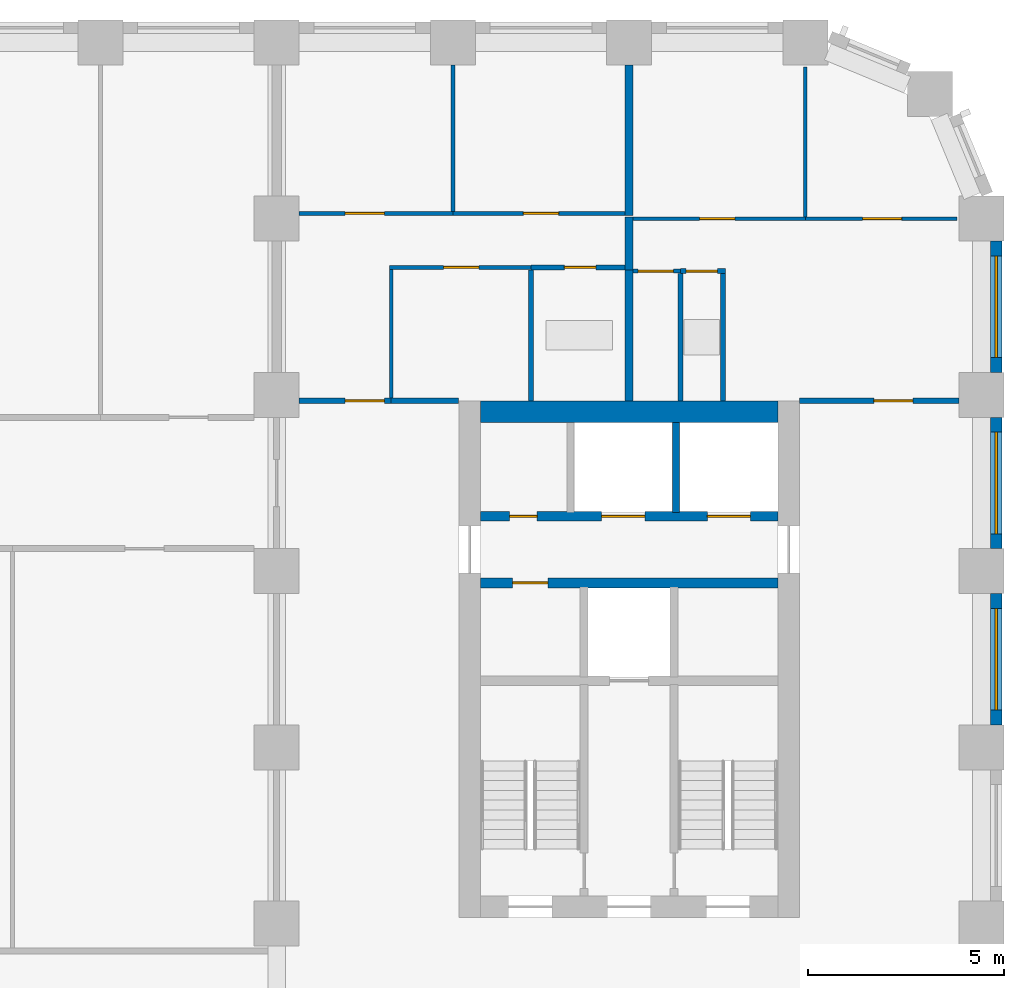
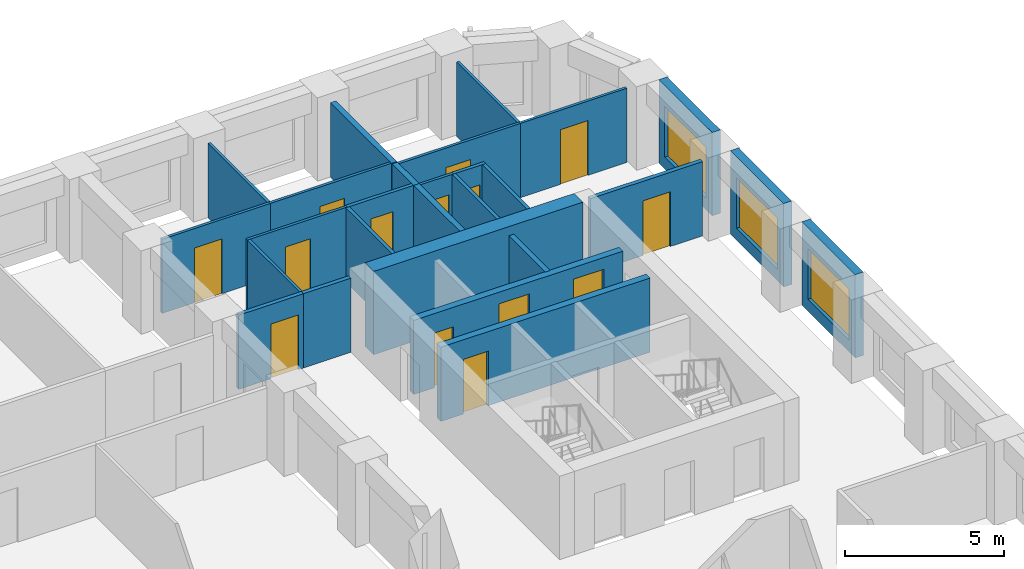
# One storey, part 8 of 12: 27 walls, 14 doors, 3 windows, 17 openings.
"""IFC4 building model written with IfcOpenShell, lengths in metres."""

import ifcopenshell
import ifcopenshell.guid

model = None  # the IFC model being written
_history = None  # IfcOwnerHistory: only IFC2X3 demands one
_inside = {}  # id of a spatial element -> (the spatial element, [elements in it])
_under = {}  # id of a project, library or spatial element -> (it, [spatial elements below it])
_declared = {}  # id of a project -> (the project, [libraries it declares])
_typed = {}  # id of a type object -> (the type object, [elements of that type])
_made_of = {}  # id of a material, layer set ... -> (it, [elements and type objects made of it])


def new_model(schema):
    """Start an empty IFC model of exactly this schema.

    Asked for "IFC4X3", IfcOpenShell would pick the latest addendum, in which some entities
    have other attributes; the version numbers below select the first issue.
    IFC2X3 requires an IfcOwnerHistory on every rooted entity: one is made here for all.
    """
    global model, _history
    if schema == "IFC4X3":
        model = ifcopenshell.file(schema_version=(4, 3, 0, 0))
    else:
        model = ifcopenshell.file(schema=schema)
    _inside.clear()
    _under.clear()
    _declared.clear()
    _typed.clear()
    _made_of.clear()
    _history = None
    if model.schema == "IFC2X3":
        org = make("IfcOrganization", Name="unknown")
        user = make(
            "IfcPersonAndOrganization",
            ThePerson=make("IfcPerson", FamilyName="unknown"),
            TheOrganization=org,
        )
        app = make(
            "IfcApplication",
            ApplicationDeveloper=org,
            Version="unknown",
            ApplicationFullName="unknown",
            ApplicationIdentifier="unknown",
        )
        _history = make(
            "IfcOwnerHistory",
            OwningUser=user,
            OwningApplication=app,
            ChangeAction="ADDED",
            CreationDate=0,
        )
    return model


def make(cls, **values):
    """One entity of the class cls with the attributes given. An attribute that is None is left unset."""
    return model.create_entity(
        cls, **{name: value for name, value in values.items() if value is not None}
    )


def rooted(cls, **values):
    """An entity with a GlobalId (a new one), such as an element, a storey or a relation."""
    return make(cls, GlobalId=ifcopenshell.guid.new(), OwnerHistory=_history, **values)


def si_unit(unit_type, name, prefix=None):
    """IfcSIUnit, for example si_unit("LENGTHUNIT", "METRE", prefix="MILLI")."""
    return make("IfcSIUnit", UnitType=unit_type, Prefix=prefix, Name=name)


def assignment(units):
    """IfcUnitAssignment: the units of a project."""
    return None if units is None else make("IfcUnitAssignment", Units=units)


def point(xyz):
    """IfcCartesianPoint."""
    return None if xyz is None else make("IfcCartesianPoint", Coordinates=xyz)


def direction(xyz):
    """IfcDirection."""
    return None if xyz is None else make("IfcDirection", DirectionRatios=xyz)


def frame(location, z_axis=None, x_axis=None):
    """IfcAxis2Placement3D, a coordinate frame: its origin and axes. An axis left out is left unset."""
    return make(
        "IfcAxis2Placement3D",
        Location=point(location),
        Axis=direction(z_axis),
        RefDirection=direction(x_axis),
    )


def frame_2d(location, x_axis=None):
    """IfcAxis2Placement2D, a coordinate frame in the plane: its origin and x axis."""
    return make(
        "IfcAxis2Placement2D", Location=point(location), RefDirection=direction(x_axis)
    )


def origin():
    """The frame at (0, 0, 0) with its axes left unset."""
    return frame((0.0, 0.0, 0.0))


def place(relative_to, where):
    """IfcLocalPlacement: puts the frame where relative to a parent placement (None: the world)."""
    return make(
        "IfcLocalPlacement", PlacementRelTo=relative_to, RelativePlacement=where
    )


def context(
    kind, dimensions, precision=None, world=None, true_north=None, identifier=None
):
    """IfcGeometricRepresentationContext, for example the 3D "Model" context."""
    return make(
        "IfcGeometricRepresentationContext",
        ContextIdentifier=identifier,
        ContextType=kind,
        CoordinateSpaceDimension=dimensions,
        Precision=precision,
        WorldCoordinateSystem=world,
        TrueNorth=true_north,
    )


def subcontext(parent, identifier, kind, view, scale=None):
    """IfcGeometricRepresentationSubContext, for example "Body" below "Model"."""
    return make(
        "IfcGeometricRepresentationSubContext",
        ContextIdentifier=identifier,
        ContextType=kind,
        ParentContext=parent,
        TargetScale=scale,
        TargetView=view,
    )


def project(units=None, contexts=None):
    """IfcProject with its units and contexts."""
    return rooted(
        "IfcProject",
        Name="project",
        RepresentationContexts=contexts,
        UnitsInContext=assignment(units),
    )


def spatial(cls, under=None, at=None, **own):
    """A site, building, storey or space (cls), placed at a placement, below another one or the project."""
    s = rooted(cls, ObjectPlacement=at, **own)
    if under is not None:
        _under.setdefault(under.id(), (under, []))[1].append(s)
    return s


def profile(cls, at=None, kind="AREA", **sizes):
    """A parametric profile (cls). Its sizes go by their IFC names, for example OverallWidth=200.0."""
    return make(cls, ProfileType=kind, Position=at, **sizes)


def rectangle(**sizes):
    """IfcRectangleProfileDef."""
    return profile("IfcRectangleProfileDef", **sizes)


def extrude(swept, where, along, depth):
    """IfcExtrudedAreaSolid: the profile swept, set in the frame where, extruded along a direction by depth."""
    return make(
        "IfcExtrudedAreaSolid",
        SweptArea=swept,
        Position=where,
        ExtrudedDirection=direction(along),
        Depth=depth,
    )


def shape(context_of_items, identifier, shape_type, items):
    """IfcShapeRepresentation: the items that make up one representation, for example the "Body"."""
    return make(
        "IfcShapeRepresentation",
        ContextOfItems=context_of_items,
        RepresentationIdentifier=identifier,
        RepresentationType=shape_type,
        Items=items,
    )


def material(Name=None, Category=None):
    """IfcMaterial."""
    return make("IfcMaterial", Name=Name, Category=Category)


def layer(
    of_material, thickness, ventilated=None, Name=None, Category=None, Priority=None
):
    """IfcMaterialLayer: one layer of a wall or slab, of a material (None: an air gap)."""
    return make(
        "IfcMaterialLayer",
        Material=of_material,
        LayerThickness=thickness,
        IsVentilated=ventilated,
        Name=Name,
        Category=Category,
        Priority=Priority,
    )


def layer_set(layers, Name=None):
    """IfcMaterialLayerSet."""
    return make("IfcMaterialLayerSet", MaterialLayers=layers, LayerSetName=Name)


def made_of(thing, what):
    """Note that an element or type object is made of a material, layer set ...; save() writes the relation."""
    if what is not None:
        _made_of.setdefault(what.id(), (what, []))[1].append(thing)
    return thing


def type_object(cls, material=None, **own):
    """A type object (cls), such as IfcWallType, which elements share."""
    return made_of(rooted(cls, **own), material)


def element(
    cls,
    number,
    at=None,
    inside=None,
    cuts=None,
    type_object=None,
    material=None,
    context=None,
    identifier="Body",
    shape_type=None,
    held_by="IfcProductDefinitionShape",
    body=None,
    shapes=None,
    **own,
):
    """One element of the class cls, such as IfcWall. Its Tag is "e" and its number.

    at: its placement. inside: the storey or other place that contains it. cuts: it is an
    opening in that element (IfcRelVoidsElement). A single representation is given by context,
    identifier, shape_type and body (its items); several are given by shapes. held_by: the class
    of the entity that holds the representations. save() writes the other relations.
    """
    e = rooted(cls, Tag="e%d" % number, ObjectPlacement=at, **own)
    if body is not None:
        shapes = [shape(context, identifier, shape_type, body)]
    if shapes is not None:
        e.Representation = make(held_by, Representations=shapes)
    if inside is not None:
        _inside.setdefault(inside.id(), (inside, []))[1].append(e)
    if cuts is not None:
        rooted(
            "IfcRelVoidsElement", RelatingBuildingElement=cuts, RelatedOpeningElement=e
        )
    if type_object is not None:
        _typed.setdefault(type_object.id(), (type_object, []))[1].append(e)
    return made_of(e, material)


def fill(opening, filler):
    """IfcRelFillsElement: the door or window that sits in an opening."""
    return rooted(
        "IfcRelFillsElement",
        RelatingOpeningElement=opening,
        RelatedBuildingElement=filler,
    )


def aggregate(whole, parts):
    """IfcRelAggregates: a whole, such as a stair, and the parts it consists of."""
    return rooted("IfcRelAggregates", RelatingObject=whole, RelatedObjects=parts)


def save(model, path):
    """Write the relations noted so far, then the file.

    IfcRelAggregates (storeys below a building ...), IfcRelContainedInSpatialStructure (elements
    in a storey), IfcRelDefinesByType, IfcRelAssociatesMaterial and IfcRelDeclares: one each for
    every whole, place, type object, material and project.
    """
    for whole, parts in _under.values():
        aggregate(whole, parts)
    for where, things in _inside.values():
        rooted(
            "IfcRelContainedInSpatialStructure",
            RelatedElements=things,
            RelatingStructure=where,
        )
    for kind, things in _typed.values():
        rooted("IfcRelDefinesByType", RelatedObjects=things, RelatingType=kind)
    for what, things in _made_of.values():
        rooted("IfcRelAssociatesMaterial", RelatedObjects=things, RelatingMaterial=what)
    for by, libraries in _declared.values():
        rooted("IfcRelDeclares", RelatingContext=by, RelatedDefinitions=libraries)
    model.write(path)


model = new_model("IFC4")

# Units and contexts
model_context = context("Model", 3, precision=1e-05, world=origin(), true_north=direction((0.0, 1.0)))
body_context = subcontext(model_context, "Body", "Model", "MODEL_VIEW")
ifc_project = project(units=[si_unit("LENGTHUNIT", "METRE"), si_unit("AREAUNIT", "SQUARE_METRE"), si_unit("VOLUMEUNIT", "CUBIC_METRE"), si_unit("PLANEANGLEUNIT", "RADIAN"), si_unit("MASSUNIT", "GRAM", prefix="KILO")], contexts=[model_context])

# Site, building, storey
site_placement = place(None, origin())
site = spatial("IfcSite", under=ifc_project, at=site_placement, CompositionType="ELEMENT")
building_placement = place(site_placement, origin())
building = spatial("IfcBuilding", under=site, at=building_placement, Name="Girih Gate Residences", CompositionType="ELEMENT")
storey_placement = place(building_placement, frame((0.0, 0.0, 121.60009765625)))
storey = spatial("IfcBuildingStorey", under=building, at=storey_placement, Name="L34", CompositionType="ELEMENT", Elevation=121.60009765625)

# Wall, opening, door
ifc_material_1 = material(Name="Gypsum board on steel studs", Category="steel")
ifc_layer_1 = layer(ifc_material_1, 0.14990234375)
ifc_layer_set_1 = layer_set([ifc_layer_1], Name="Compartment wall 150 mm")
wall_type_1 = type_object("IfcWallType", Name="Compartment wall 150 mm", PredefinedType="PARTITIONING", material=ifc_layer_set_1)
wall_1_placement = place(storey_placement, frame((44.85009765625, 40.35009765625, 0.0), z_axis=(0.0, 0.0, 1.0), x_axis=(1.0, 0.0, 0.0)))
wall_1 = element("IfcWall", 1, at=wall_1_placement, inside=storey, type_object=wall_type_1, Name="L34 partition", PredefinedType="PARTITIONING", context=body_context, shape_type="SweptSolid", body=[
    extrude(rectangle(XDim=4.074951171875, YDim=0.14990234375, at=frame_2d((2.03759765625, 0.0))), origin(), (0.0, 0.0, 1.0), 2.849853515625),
])
opening_1_placement = place(wall_1_placement, frame((1.89990234375, 0.0, 0.0)))
opening_1 = element("IfcOpeningElement", 2, at=opening_1_placement, cuts=wall_1, Name="Opening A34-028", PredefinedType="OPENING", context=body_context, shape_type="SweptSolid", body=[
    extrude(rectangle(XDim=1.0, YDim=2.10009765625, at=frame_2d((0.5, 1.050048828125))), frame((0.0, 0.0849609375, 0.0), z_axis=(0.0, -1.0, 0.0), x_axis=(1.0, 0.0, 0.0)), (0.0, 0.0, 1.0), 0.169921875),
])
ifc_material_2 = material(Name="Timber, fire-rated core", Category="wood")
door_type_1 = type_object("IfcDoorType", Name="Flat entrance door 1000x2100 FD30S", OperationType="NOTDEFINED", PredefinedType="DOOR", material=ifc_material_2)
door_1_placement = place(opening_1_placement, origin())
door_1 = element("IfcDoor", 3, at=door_1_placement, inside=storey, type_object=door_type_1, Name="Door A34-028", OperationType="SINGLE_SWING_RIGHT", OverallHeight=2.10009765625, OverallWidth=1.0, PredefinedType="DOOR", context=body_context, shape_type="SweptSolid", body=[
    extrude(rectangle(XDim=1.0, YDim=2.10009765625, at=frame_2d((0.5, 1.050048828125))), frame((0.0, 0.02490234375, 0.0), z_axis=(0.0, -1.0, 0.0), x_axis=(1.0, 0.0, 0.0)), (0.0, 0.0, 1.0), 0.050048828125),
])
fill(opening_1, door_1)

wall_2_placement = place(storey_placement, frame((32.074951171875, 40.35009765625, 0.0), z_axis=(0.0, 0.0, 1.0), x_axis=(1.0, 0.0, 0.0)))
wall_2 = element("IfcWall", 4, at=wall_2_placement, inside=storey, type_object=wall_type_1, Name="L34 partition", PredefinedType="PARTITIONING", context=body_context, shape_type="SweptSolid", body=[
    extrude(rectangle(XDim=2.35009765625, YDim=0.14990234375, at=frame_2d((1.175048828125, 0.0))), origin(), (0.0, 0.0, 1.0), 2.849853515625),
])
opening_2_placement = place(wall_2_placement, frame((1.175048828125, 0.0, 0.0)))
opening_2 = element("IfcOpeningElement", 5, at=opening_2_placement, cuts=wall_2, Name="Opening A34-033", PredefinedType="OPENING", context=body_context, shape_type="SweptSolid", body=[
    extrude(rectangle(XDim=1.0, YDim=2.10009765625, at=frame_2d((0.5, 1.050048828125))), frame((0.0, 0.0849609375, 0.0), z_axis=(0.0, -1.0, 0.0), x_axis=(1.0, 0.0, 0.0)), (0.0, 0.0, 1.0), 0.169921875),
])
door_2_placement = place(opening_2_placement, origin())
door_2 = element("IfcDoor", 6, at=door_2_placement, inside=storey, type_object=door_type_1, Name="Door A34-033", OperationType="SINGLE_SWING_RIGHT", OverallHeight=2.10009765625, OverallWidth=1.0, PredefinedType="DOOR", context=body_context, shape_type="SweptSolid", body=[
    extrude(rectangle(XDim=1.0, YDim=2.10009765625, at=frame_2d((0.5, 1.050048828125))), frame((0.0, 0.02490234375, 0.0), z_axis=(0.0, -1.0, 0.0), x_axis=(1.0, 0.0, 0.0)), (0.0, 0.0, 1.0), 0.050048828125),
])
fill(opening_2, door_2)

# Walls
wall_3_placement = place(storey_placement, frame((34.425048828125, 40.35009765625, 0.0), z_axis=(0.0, 0.0, 1.0), x_axis=(1.0, 0.0, 0.0)))
element("IfcWall", 7, at=wall_3_placement, inside=storey, type_object=wall_type_1, Name="L34 partition", PredefinedType="PARTITIONING", context=body_context, shape_type="SweptSolid", body=[
    extrude(rectangle(XDim=1.724853515625, YDim=0.14990234375, at=frame_2d((0.8623046875, 0.0))), origin(), (0.0, 0.0, 1.0), 2.849853515625),
])
ifc_material_3 = material(Name="Concrete C60/75", Category="concrete")
ifc_layer_2 = layer(ifc_material_3, 0.550048828125)
ifc_layer_set_2 = layer_set([ifc_layer_2], Name="Core wall RC 550 Concrete C60/75")
wall_type_2 = type_object("IfcWallType", Name="Core wall RC 550 Concrete C60/75", PredefinedType="SOLIDWALL", material=ifc_layer_set_2)
wall_4_placement = place(storey_placement, frame((36.699951171875, 40.074951171875, 0.0), z_axis=(0.0, 0.0, 1.0), x_axis=(1.0, 0.0, 0.0)))
element("IfcWall", 8, at=wall_4_placement, inside=storey, type_object=wall_type_2, Name="Core wall E-N L34", PredefinedType="SOLIDWALL", context=body_context, shape_type="SweptSolid", body=[
    extrude(rectangle(XDim=7.60009765625, YDim=0.550048828125, at=frame_2d((3.800048828125, 0.0))), origin(), (0.0, 0.0, 1.0), 3.199951171875),
])

# Wall, opening, door
ifc_material_4 = material(Name="Concrete C40/50", Category="concrete")
ifc_layer_3 = layer(ifc_material_4, 0.25)
ifc_layer_set_3 = layer_set([ifc_layer_3], Name="Lift shaft wall 250")
wall_type_3 = type_object("IfcWallType", Name="Lift shaft wall 250", PredefinedType="SOLIDWALL", material=ifc_layer_set_3)
wall_5_placement = place(storey_placement, frame((36.699951171875, 35.699951171875, 0.0), z_axis=(0.0, 0.0, 1.0), x_axis=(1.0, 0.0, 0.0)))
wall_5 = element("IfcWall", 9, at=wall_5_placement, inside=storey, type_object=wall_type_3, Name="L34 E core wall H2", PredefinedType="SOLIDWALL", context=body_context, shape_type="SweptSolid", body=[
    extrude(rectangle(XDim=7.60009765625, YDim=0.25, at=frame_2d((3.800048828125, 0.0))), origin(), (0.0, 0.0, 1.0), 2.849853515625),
])
opening_3_placement = place(wall_5_placement, frame((0.824951171875, 0.0, 0.0)))
opening_3 = element("IfcOpeningElement", 10, at=opening_3_placement, cuts=wall_5, Name="Opening D-L34-E-007", PredefinedType="OPENING", context=body_context, shape_type="SweptSolid", body=[
    extrude(rectangle(XDim=0.89990234375, YDim=2.10009765625, at=frame_2d((0.449951171875, 1.050048828125))), frame((0.0, 0.135009765625, 0.0), z_axis=(0.0, -1.0, 0.0), x_axis=(1.0, 0.0, 0.0)), (0.0, 0.0, 1.0), 0.27001953125),
])
ifc_material_5 = material(Name="Painted steel, fire-resisting", Category="steel")
door_type_2 = type_object("IfcDoorType", Name="Fire door 900x2100", OperationType="SINGLE_SWING_LEFT", PredefinedType="DOOR", material=ifc_material_5)
door_3_placement = place(opening_3_placement, origin())
door_3 = element("IfcDoor", 11, at=door_3_placement, inside=storey, type_object=door_type_2, Name="L34 E refuse store door", OperationType="SINGLE_SWING_LEFT", OverallHeight=2.10009765625, OverallWidth=0.89990234375, PredefinedType="DOOR", context=body_context, shape_type="SweptSolid", body=[
    extrude(rectangle(XDim=0.89990234375, YDim=2.10009765625, at=frame_2d((0.449951171875, 1.050048828125))), frame((0.0, 0.02490234375, 0.0), z_axis=(0.0, -1.0, 0.0), x_axis=(1.0, 0.0, 0.0)), (0.0, 0.0, 1.0), 0.050048828125),
])
fill(opening_3, door_3)

# Wall, openings, doors
wall_6_placement = place(storey_placement, frame((36.699951171875, 37.39990234375, 0.0), z_axis=(0.0, 0.0, 1.0), x_axis=(1.0, 0.0, 0.0)))
wall_6 = element("IfcWall", 12, at=wall_6_placement, inside=storey, type_object=wall_type_3, Name="L34 E core wall H3", PredefinedType="SOLIDWALL", context=body_context, shape_type="SweptSolid", body=[
    extrude(rectangle(XDim=7.60009765625, YDim=0.25, at=frame_2d((3.800048828125, 0.0))), origin(), (0.0, 0.0, 1.0), 2.849853515625),
])
opening_4_placement = place(wall_6_placement, frame((5.800048828125, 0.0, 0.0)))
opening_4 = element("IfcOpeningElement", 13, at=opening_4_placement, cuts=wall_6, Name="Opening D-L34-E-003", PredefinedType="OPENING", context=body_context, shape_type="SweptSolid", body=[
    extrude(rectangle(XDim=1.10009765625, YDim=2.39990234375, at=frame_2d((0.550048828125, 1.199951171875))), frame((0.0, 0.135009765625, 0.0), z_axis=(0.0, -1.0, 0.0), x_axis=(1.0, 0.0, 0.0)), (0.0, 0.0, 1.0), 0.27001953125),
])
opening_5_placement = place(wall_6_placement, frame((3.10009765625, 0.0, 0.0)))
opening_5 = element("IfcOpeningElement", 14, at=opening_5_placement, cuts=wall_6, Name="Opening D-L34-E-004", PredefinedType="OPENING", context=body_context, shape_type="SweptSolid", body=[
    extrude(rectangle(XDim=1.10009765625, YDim=2.39990234375, at=frame_2d((0.550048828125, 1.199951171875))), frame((0.0, 0.135009765625, 0.0), z_axis=(0.0, -1.0, 0.0), x_axis=(1.0, 0.0, 0.0)), (0.0, 0.0, 1.0), 0.27001953125),
])
opening_6_placement = place(wall_6_placement, frame((0.75, 0.0, 0.0)))
opening_6 = element("IfcOpeningElement", 15, at=opening_6_placement, cuts=wall_6, Name="Opening D-L34-E-006", PredefinedType="OPENING", context=body_context, shape_type="SweptSolid", body=[
    extrude(rectangle(XDim=0.699951171875, YDim=2.10009765625, at=frame_2d((0.35009765625, 1.050048828125))), frame((0.0, 0.135009765625, 0.0), z_axis=(0.0, -1.0, 0.0), x_axis=(1.0, 0.0, 0.0)), (0.0, 0.0, 1.0), 0.27001953125),
])
ifc_material_6 = material(Name="Stainless steel", Category="steel")
door_type_3 = type_object("IfcDoorType", Name="Lift landing door 1100x2400", OperationType="SLIDING_TO_LEFT", PredefinedType="DOOR", material=ifc_material_6)
door_4_placement = place(opening_4_placement, origin())
door_4 = element("IfcDoor", 16, at=door_4_placement, inside=storey, type_object=door_type_3, Name="L34 lift LR-E1 landing door", OperationType="SLIDING_TO_LEFT", OverallHeight=2.39990234375, OverallWidth=1.10009765625, PredefinedType="DOOR", context=body_context, shape_type="SweptSolid", body=[
    extrude(rectangle(XDim=1.10009765625, YDim=2.39990234375, at=frame_2d((0.550048828125, 1.199951171875))), frame((0.0, 0.02490234375, 0.0), z_axis=(0.0, -1.0, 0.0), x_axis=(1.0, 0.0, 0.0)), (0.0, 0.0, 1.0), 0.050048828125),
])
fill(opening_4, door_4)
door_5_placement = place(opening_5_placement, origin())
door_5 = element("IfcDoor", 17, at=door_5_placement, inside=storey, type_object=door_type_3, Name="L34 lift LR-E2 landing door", OperationType="SLIDING_TO_LEFT", OverallHeight=2.39990234375, OverallWidth=1.10009765625, PredefinedType="DOOR", context=body_context, shape_type="SweptSolid", body=[
    extrude(rectangle(XDim=1.10009765625, YDim=2.39990234375, at=frame_2d((0.550048828125, 1.199951171875))), frame((0.0, 0.02490234375, 0.0), z_axis=(0.0, -1.0, 0.0), x_axis=(1.0, 0.0, 0.0)), (0.0, 0.0, 1.0), 0.050048828125),
])
fill(opening_5, door_5)
door_type_4 = type_object("IfcDoorType", Name="Riser access door 700x2100", OperationType="SINGLE_SWING_LEFT", PredefinedType="DOOR", material=ifc_material_5)
door_6_placement = place(opening_6_placement, origin())
door_6 = element("IfcDoor", 18, at=door_6_placement, inside=storey, type_object=door_type_4, Name="L34 E riser room door", OperationType="SINGLE_SWING_LEFT", OverallHeight=2.10009765625, OverallWidth=0.699951171875, PredefinedType="DOOR", context=body_context, shape_type="SweptSolid", body=[
    extrude(rectangle(XDim=0.699951171875, YDim=2.10009765625, at=frame_2d((0.35009765625, 1.050048828125))), frame((0.0, 0.02490234375, 0.0), z_axis=(0.0, -1.0, 0.0), x_axis=(1.0, 0.0, 0.0)), (0.0, 0.0, 1.0), 0.050048828125),
])
fill(opening_6, door_6)

# Wall, opening, door
ifc_layer_4 = layer(ifc_material_1, 0.10009765625)
ifc_layer_set_4 = layer_set([ifc_layer_4], Name="Partition 100 mm")
wall_type_4 = type_object("IfcWallType", Name="Partition 100 mm", PredefinedType="PARTITIONING", material=ifc_layer_set_4)
wall_7_placement = place(storey_placement, frame((40.60009765625, 45.0, 0.0), z_axis=(0.0, 0.0, 1.0), x_axis=(1.0, 0.0, 0.0)))
wall_7 = element("IfcWall", 19, at=wall_7_placement, inside=storey, type_object=wall_type_4, Name="L34 partition", PredefinedType="PARTITIONING", context=body_context, shape_type="SweptSolid", body=[
    extrude(rectangle(XDim=4.39990234375, YDim=0.10009765625, at=frame_2d((2.199951171875, 0.0))), origin(), (0.0, 0.0, 1.0), 2.849853515625),
])
opening_7_placement = place(wall_7_placement, frame((1.699951171875, 0.0, 0.0)))
opening_7 = element("IfcOpeningElement", 20, at=opening_7_placement, cuts=wall_7, Name="Opening A34-025", PredefinedType="OPENING", context=body_context, shape_type="SweptSolid", body=[
    extrude(rectangle(XDim=0.89990234375, YDim=2.10009765625, at=frame_2d((0.449951171875, 1.050048828125))), frame((0.0, 0.06005859375, 0.0), z_axis=(0.0, -1.0, 0.0), x_axis=(1.0, 0.0, 0.0)), (0.0, 0.0, 1.0), 0.1201171875),
])
ifc_material_7 = material(Name="Timber", Category="wood")
door_type_5 = type_object("IfcDoorType", Name="Bedroom door 900x2100", OperationType="NOTDEFINED", PredefinedType="DOOR", material=ifc_material_7)
door_7_placement = place(opening_7_placement, origin())
door_7 = element("IfcDoor", 21, at=door_7_placement, inside=storey, type_object=door_type_5, Name="Door A34-025", OperationType="SINGLE_SWING_LEFT", OverallHeight=2.10009765625, OverallWidth=0.89990234375, PredefinedType="DOOR", context=body_context, shape_type="SweptSolid", body=[
    extrude(rectangle(XDim=0.89990234375, YDim=2.10009765625, at=frame_2d((0.449951171875, 1.050048828125))), frame((0.0, 0.02490234375, 0.0), z_axis=(0.0, -1.0, 0.0), x_axis=(1.0, 0.0, 0.0)), (0.0, 0.0, 1.0), 0.050048828125),
])
fill(opening_7, door_7)

# Wall
wall_8_placement = place(storey_placement, frame((45.0, 45.050048828125, 0.0), z_axis=(0.0, 0.0, 1.0), x_axis=(0.0, 1.0, 0.0)))
element("IfcWall", 22, at=wall_8_placement, inside=storey, type_object=wall_type_4, Name="L34 partition", PredefinedType="PARTITIONING", context=body_context, shape_type="SweptSolid", body=[
    extrude(rectangle(XDim=3.82763671875, YDim=0.10009765625, at=frame_2d((1.913818359375, 0.0))), origin(), (0.0, 0.0, 1.0), 2.849853515625),
])

# Wall, opening, door
wall_9_placement = place(storey_placement, frame((41.80908203125, 43.659912109375, 0.0), z_axis=(0.0, 0.0, 1.0), x_axis=(-1.0, 0.0, 0.0)))
wall_9 = element("IfcWall", 23, at=wall_9_placement, inside=storey, type_object=wall_type_4, Name="L34 partition", PredefinedType="PARTITIONING", context=body_context, shape_type="SweptSolid", body=[
    extrude(rectangle(XDim=1.208984375, YDim=0.10009765625, at=frame_2d((0.6044921875, 0.0))), origin(), (0.0, 0.0, 1.0), 2.849853515625),
])
opening_8_placement = place(wall_9_placement, frame((0.17919921875, 0.0, 0.0)))
opening_8 = element("IfcOpeningElement", 24, at=opening_8_placement, cuts=wall_9, Name="Opening A34-026", PredefinedType="OPENING", context=body_context, shape_type="SweptSolid", body=[
    extrude(rectangle(XDim=0.89990234375, YDim=2.10009765625, at=frame_2d((0.449951171875, 1.050048828125))), frame((0.0, 0.06005859375, 0.0), z_axis=(0.0, -1.0, 0.0), x_axis=(1.0, 0.0, 0.0)), (0.0, 0.0, 1.0), 0.1201171875),
])
door_type_6 = type_object("IfcDoorType", Name="Kitchen door 900x2100", OperationType="NOTDEFINED", PredefinedType="DOOR", material=ifc_material_7)
door_8_placement = place(opening_8_placement, origin())
door_8 = element("IfcDoor", 25, at=door_8_placement, inside=storey, type_object=door_type_6, Name="Door A34-026", OperationType="SINGLE_SWING_RIGHT", OverallHeight=2.10009765625, OverallWidth=0.89990234375, PredefinedType="DOOR", context=body_context, shape_type="SweptSolid", body=[
    extrude(rectangle(XDim=0.89990234375, YDim=2.10009765625, at=frame_2d((0.449951171875, 1.050048828125))), frame((0.0, 0.02490234375, 0.0), z_axis=(0.0, -1.0, 0.0), x_axis=(1.0, 0.0, 0.0)), (0.0, 0.0, 1.0), 0.050048828125),
])
fill(opening_8, door_8)

wall_10_placement = place(storey_placement, frame((45.0, 45.0, 0.0), z_axis=(0.0, 0.0, 1.0), x_axis=(1.0, 0.0, 0.0)))
wall_10 = element("IfcWall", 26, at=wall_10_placement, inside=storey, type_object=wall_type_4, Name="L34 partition", PredefinedType="PARTITIONING", context=body_context, shape_type="SweptSolid", body=[
    extrude(rectangle(XDim=3.877685546875, YDim=0.10009765625, at=frame_2d((1.93896484375, 0.0))), origin(), (0.0, 0.0, 1.0), 2.849853515625),
])
opening_9_placement = place(wall_10_placement, frame((1.46240234375, 0.0, 0.0)))
opening_9 = element("IfcOpeningElement", 27, at=opening_9_placement, cuts=wall_10, Name="Opening A34-027", PredefinedType="OPENING", context=body_context, shape_type="SweptSolid", body=[
    extrude(rectangle(XDim=1.0, YDim=2.10009765625, at=frame_2d((0.5, 1.050048828125))), frame((0.0, 0.06005859375, 0.0), z_axis=(0.0, -1.0, 0.0), x_axis=(1.0, 0.0, 0.0)), (0.0, 0.0, 1.0), 0.1201171875),
])
door_type_7 = type_object("IfcDoorType", Name="Living room door 1000x2100", OperationType="NOTDEFINED", PredefinedType="DOOR", material=ifc_material_7)
door_9_placement = place(opening_9_placement, origin())
door_9 = element("IfcDoor", 28, at=door_9_placement, inside=storey, type_object=door_type_7, Name="Door A34-027", OperationType="SINGLE_SWING_RIGHT", OverallHeight=2.10009765625, OverallWidth=1.0, PredefinedType="DOOR", context=body_context, shape_type="SweptSolid", body=[
    extrude(rectangle(XDim=1.0, YDim=2.10009765625, at=frame_2d((0.5, 1.050048828125))), frame((0.0, 0.02490234375, 0.0), z_axis=(0.0, -1.0, 0.0), x_axis=(1.0, 0.0, 0.0)), (0.0, 0.0, 1.0), 0.050048828125),
])
fill(opening_9, door_9)

wall_11_placement = place(storey_placement, frame((36.0, 45.135009765625, 0.0), z_axis=(0.0, 0.0, 1.0), x_axis=(1.0, 0.0, 0.0)))
wall_11 = element("IfcWall", 29, at=wall_11_placement, inside=storey, type_object=wall_type_4, Name="L34 partition", PredefinedType="PARTITIONING", context=body_context, shape_type="SweptSolid", body=[
    extrude(rectangle(XDim=4.39990234375, YDim=0.10009765625, at=frame_2d((2.199951171875, 0.0))), origin(), (0.0, 0.0, 1.0), 2.849853515625),
])
opening_10_placement = place(wall_11_placement, frame((1.800048828125, 0.0, 0.0)))
opening_10 = element("IfcOpeningElement", 30, at=opening_10_placement, cuts=wall_11, Name="Opening A34-030", PredefinedType="OPENING", context=body_context, shape_type="SweptSolid", body=[
    extrude(rectangle(XDim=0.89990234375, YDim=2.10009765625, at=frame_2d((0.449951171875, 1.050048828125))), frame((0.0, 0.06005859375, 0.0), z_axis=(0.0, -1.0, 0.0), x_axis=(1.0, 0.0, 0.0)), (0.0, 0.0, 1.0), 0.1201171875),
])
door_10_placement = place(opening_10_placement, origin())
door_10 = element("IfcDoor", 31, at=door_10_placement, inside=storey, type_object=door_type_5, Name="Door A34-030", OperationType="SINGLE_SWING_RIGHT", OverallHeight=2.10009765625, OverallWidth=0.89990234375, PredefinedType="DOOR", context=body_context, shape_type="SweptSolid", body=[
    extrude(rectangle(XDim=0.89990234375, YDim=2.10009765625, at=frame_2d((0.449951171875, 1.050048828125))), frame((0.0, 0.02490234375, 0.0), z_axis=(0.0, -1.0, 0.0), x_axis=(1.0, 0.0, 0.0)), (0.0, 0.0, 1.0), 0.050048828125),
])
fill(opening_10, door_10)

# Wall
wall_12_placement = place(storey_placement, frame((36.0, 45.18505859375, 0.0), z_axis=(0.0, 0.0, 1.0), x_axis=(0.0, 1.0, 0.0)))
element("IfcWall", 32, at=wall_12_placement, inside=storey, type_object=wall_type_4, Name="L34 partition", PredefinedType="PARTITIONING", context=body_context, shape_type="SweptSolid", body=[
    extrude(rectangle(XDim=3.739990234375, YDim=0.10009765625, at=frame_2d((1.8701171875, 0.0))), origin(), (0.0, 0.0, 1.0), 2.849853515625),
])

# Wall, opening, door
wall_13_placement = place(storey_placement, frame((37.99951171875, 43.7548828125, 0.0), z_axis=(0.0, 0.0, 1.0), x_axis=(-1.0, 0.0, 0.0)))
wall_13 = element("IfcWall", 33, at=wall_13_placement, inside=storey, type_object=wall_type_4, Name="L34 partition", PredefinedType="PARTITIONING", context=body_context, shape_type="SweptSolid", body=[
    extrude(rectangle(XDim=3.62451171875, YDim=0.10009765625, at=frame_2d((1.812255859375, 0.0))), origin(), (0.0, 0.0, 1.0), 2.849853515625),
])
opening_11_placement = place(wall_13_placement, frame((1.33740234375, 0.0, 0.0)))
opening_11 = element("IfcOpeningElement", 34, at=opening_11_placement, cuts=wall_13, Name="Opening A34-031", PredefinedType="OPENING", context=body_context, shape_type="SweptSolid", body=[
    extrude(rectangle(XDim=0.89990234375, YDim=2.10009765625, at=frame_2d((0.449951171875, 1.050048828125))), frame((0.0, 0.06005859375, 0.0), z_axis=(0.0, -1.0, 0.0), x_axis=(1.0, 0.0, 0.0)), (0.0, 0.0, 1.0), 0.1201171875),
])
door_11_placement = place(opening_11_placement, origin())
door_11 = element("IfcDoor", 35, at=door_11_placement, inside=storey, type_object=door_type_6, Name="Door A34-031", OperationType="SINGLE_SWING_LEFT", OverallHeight=2.10009765625, OverallWidth=0.89990234375, PredefinedType="DOOR", context=body_context, shape_type="SweptSolid", body=[
    extrude(rectangle(XDim=0.89990234375, YDim=2.10009765625, at=frame_2d((0.449951171875, 1.050048828125))), frame((0.0, 0.02490234375, 0.0), z_axis=(0.0, -1.0, 0.0), x_axis=(1.0, 0.0, 0.0)), (0.0, 0.0, 1.0), 0.050048828125),
])
fill(opening_11, door_11)

# Wall
wall_14_placement = place(storey_placement, frame((34.425048828125, 40.425048828125, 0.0), z_axis=(0.0, 0.0, 1.0), x_axis=(0.0, 1.0, 0.0)))
element("IfcWall", 36, at=wall_14_placement, inside=storey, type_object=wall_type_4, Name="L34 partition", PredefinedType="PARTITIONING", context=body_context, shape_type="SweptSolid", body=[
    extrude(rectangle(XDim=3.280029296875, YDim=0.10009765625, at=frame_2d((1.64013671875, 0.0))), origin(), (0.0, 0.0, 1.0), 2.849853515625),
])

# Wall, opening, door
wall_15_placement = place(storey_placement, frame((32.074951171875, 45.135009765625, 0.0), z_axis=(0.0, 0.0, 1.0), x_axis=(1.0, 0.0, 0.0)))
wall_15 = element("IfcWall", 37, at=wall_15_placement, inside=storey, type_object=wall_type_4, Name="L34 partition", PredefinedType="PARTITIONING", context=body_context, shape_type="SweptSolid", body=[
    extrude(rectangle(XDim=3.925048828125, YDim=0.10009765625, at=frame_2d((1.96240234375, 0.0))), origin(), (0.0, 0.0, 1.0), 2.849853515625),
])
opening_12_placement = place(wall_15_placement, frame((1.175048828125, 0.0, 0.0)))
opening_12 = element("IfcOpeningElement", 38, at=opening_12_placement, cuts=wall_15, Name="Opening A34-032", PredefinedType="OPENING", context=body_context, shape_type="SweptSolid", body=[
    extrude(rectangle(XDim=1.0, YDim=2.10009765625, at=frame_2d((0.5, 1.050048828125))), frame((0.0, 0.06005859375, 0.0), z_axis=(0.0, -1.0, 0.0), x_axis=(1.0, 0.0, 0.0)), (0.0, 0.0, 1.0), 0.1201171875),
])
door_12_placement = place(opening_12_placement, origin())
door_12 = element("IfcDoor", 39, at=door_12_placement, inside=storey, type_object=door_type_7, Name="Door A34-032", OperationType="SINGLE_SWING_LEFT", OverallHeight=2.10009765625, OverallWidth=1.0, PredefinedType="DOOR", context=body_context, shape_type="SweptSolid", body=[
    extrude(rectangle(XDim=1.0, YDim=2.10009765625, at=frame_2d((0.5, 1.050048828125))), frame((0.0, 0.02490234375, 0.0), z_axis=(0.0, -1.0, 0.0), x_axis=(1.0, 0.0, 0.0)), (0.0, 0.0, 1.0), 0.050048828125),
])
fill(opening_12, door_12)

# Walls
ifc_layer_5 = layer(ifc_material_1, 0.199951171875)
ifc_layer_set_5 = layer_set([ifc_layer_5], Name="Party wall 200 mm")
wall_type_5 = type_object("IfcWallType", Name="Party wall 200 mm", PredefinedType="PARTITIONING", material=ifc_layer_set_5)
wall_16_placement = place(storey_placement, frame((40.5, 45.0849609375, 0.0), z_axis=(0.0, 0.0, 1.0), x_axis=(0.0, 1.0, 0.0)))
element("IfcWall", 40, at=wall_16_placement, inside=storey, type_object=wall_type_5, Name="L34 partition", PredefinedType="PARTITIONING", context=body_context, shape_type="SweptSolid", body=[
    extrude(rectangle(XDim=3.840087890625, YDim=0.199951171875, at=frame_2d((1.919921875, 0.0))), origin(), (0.0, 0.0, 1.0), 2.849853515625),
])
wall_17_placement = place(storey_placement, frame((40.5, 43.6923828125, 0.0), z_axis=(0.0, 0.0, 1.0), x_axis=(0.0, 1.0, 0.0)))
element("IfcWall", 41, at=wall_17_placement, inside=storey, type_object=wall_type_5, Name="L34 partition", PredefinedType="PARTITIONING", context=body_context, shape_type="SweptSolid", body=[
    extrude(rectangle(XDim=1.357666015625, YDim=0.199951171875, at=frame_2d((0.6787109375, 0.0))), origin(), (0.0, 0.0, 1.0), 2.849853515625),
])
wall_18_placement = place(storey_placement, frame((40.5, 40.35009765625, 0.0), z_axis=(0.0, 0.0, 1.0), x_axis=(0.0, 1.0, 0.0)))
element("IfcWall", 42, at=wall_18_placement, inside=storey, type_object=wall_type_5, Name="L34 partition", PredefinedType="PARTITIONING", context=body_context, shape_type="SweptSolid", body=[
    extrude(rectangle(XDim=3.35986328125, YDim=0.199951171875, at=frame_2d((1.679931640625, 0.0))), origin(), (0.0, 0.0, 1.0), 2.849853515625),
])

# Wall, opening, window
ifc_material_8 = material(Name="Precast concrete C50/60", Category="concrete")
ifc_layer_6 = layer(ifc_material_8, 0.080078125, Name="Outer leaf")
ifc_material_9 = material(Name="Rigid PIR insulation")
ifc_layer_7 = layer(ifc_material_9, 0.14990234375, Name="Insulation")
ifc_material_10 = material(Name="Precast concrete C40/50", Category="concrete")
ifc_layer_8 = layer(ifc_material_10, 0.070068359375, Name="Inner leaf")
ifc_layer_set_6 = layer_set([ifc_layer_6, ifc_layer_7, ifc_layer_8], Name="Precast concrete C50/60 external wall 300")
wall_type_6 = type_object("IfcWallType", Name="Precast concrete C50/60 external wall 300", PredefinedType="SOLIDWALL", material=ifc_layer_set_6)
wall_19_placement = place(storey_placement, frame((49.875, 35.425048828125, 0.0), z_axis=(0.0, 0.0, 1.0), x_axis=(0.0, -1.0, 0.0)))
wall_19 = element("IfcWall", 43, at=wall_19_placement, inside=storey, type_object=wall_type_6, Name="External wall E0495_0045.6", PredefinedType="SOLIDWALL", context=body_context, shape_type="SweptSolid", body=[
    extrude(rectangle(XDim=3.35009765625, YDim=0.300048828125, at=frame_2d((1.675048828125, 0.0))), origin(), (0.0, 0.0, 1.0), 3.199951171875),
])
opening_13_placement = place(wall_19_placement, frame((0.375, 0.0, 0.449951171875)))
opening_13 = element("IfcOpeningElement", 44, at=opening_13_placement, cuts=wall_19, Name="Opening W-1A", PredefinedType="OPENING", context=body_context, shape_type="SweptSolid", body=[
    extrude(rectangle(XDim=2.60009765625, YDim=1.949951171875, at=frame_2d((1.300048828125, 0.97509765625))), frame((0.0, 0.159912109375, 0.0), z_axis=(0.0, -1.0, 0.0), x_axis=(1.0, 0.0, 0.0)), (0.0, 0.0, 1.0), 0.320068359375),
])
ifc_material_11 = material(Name="Double glazing in aluminium frame", Category="aluminium")
window_type = type_object("IfcWindowType", Name="Window W-1A 2600x1950", PartitioningType="SINGLE_PANEL", PredefinedType="WINDOW", material=ifc_material_11)
window_1_placement = place(opening_13_placement, origin())
window_1 = element("IfcWindow", 45, at=window_1_placement, inside=storey, type_object=window_type, Name="Window W-1A E0495_0045.6", OverallHeight=1.949951171875, OverallWidth=2.60009765625, PartitioningType="SINGLE_PANEL", PredefinedType="WINDOW", context=body_context, shape_type="SweptSolid", body=[
    extrude(rectangle(XDim=2.60009765625, YDim=1.949951171875, at=frame_2d((1.300048828125, 0.97509765625))), frame((0.0, 0.030029296875, 0.0), z_axis=(0.0, -1.0, 0.0), x_axis=(1.0, 0.0, 0.0)), (0.0, 0.0, 1.0), 0.06005859375),
])
fill(opening_13, window_1)

wall_20_placement = place(storey_placement, frame((49.875, 39.925048828125, 0.0), z_axis=(0.0, 0.0, 1.0), x_axis=(0.0, -1.0, 0.0)))
wall_20 = element("IfcWall", 46, at=wall_20_placement, inside=storey, type_object=wall_type_6, Name="External wall E0495_0045.7", PredefinedType="SOLIDWALL", context=body_context, shape_type="SweptSolid", body=[
    extrude(rectangle(XDim=3.35009765625, YDim=0.300048828125, at=frame_2d((1.675048828125, 0.0))), origin(), (0.0, 0.0, 1.0), 3.199951171875),
])
opening_14_placement = place(wall_20_placement, frame((0.375, 0.0, 0.449951171875)))
opening_14 = element("IfcOpeningElement", 47, at=opening_14_placement, cuts=wall_20, Name="Opening W-1A", PredefinedType="OPENING", context=body_context, shape_type="SweptSolid", body=[
    extrude(rectangle(XDim=2.60009765625, YDim=1.949951171875, at=frame_2d((1.300048828125, 0.97509765625))), frame((0.0, 0.159912109375, 0.0), z_axis=(0.0, -1.0, 0.0), x_axis=(1.0, 0.0, 0.0)), (0.0, 0.0, 1.0), 0.320068359375),
])
window_2_placement = place(opening_14_placement, origin())
window_2 = element("IfcWindow", 48, at=window_2_placement, inside=storey, type_object=window_type, Name="Window W-1A E0495_0045.7", OverallHeight=1.949951171875, OverallWidth=2.60009765625, PartitioningType="SINGLE_PANEL", PredefinedType="WINDOW", context=body_context, shape_type="SweptSolid", body=[
    extrude(rectangle(XDim=2.60009765625, YDim=1.949951171875, at=frame_2d((1.300048828125, 0.97509765625))), frame((0.0, 0.030029296875, 0.0), z_axis=(0.0, -1.0, 0.0), x_axis=(1.0, 0.0, 0.0)), (0.0, 0.0, 1.0), 0.06005859375),
])
fill(opening_14, window_2)

wall_21_placement = place(storey_placement, frame((49.875, 44.425048828125, 0.0), z_axis=(0.0, 0.0, 1.0), x_axis=(0.0, -1.0, 0.0)))
wall_21 = element("IfcWall", 49, at=wall_21_placement, inside=storey, type_object=wall_type_6, Name="External wall E0495_0045.8", PredefinedType="SOLIDWALL", context=body_context, shape_type="SweptSolid", body=[
    extrude(rectangle(XDim=3.35009765625, YDim=0.300048828125, at=frame_2d((1.675048828125, 0.0))), origin(), (0.0, 0.0, 1.0), 3.199951171875),
])
opening_15_placement = place(wall_21_placement, frame((0.375, 0.0, 0.449951171875)))
opening_15 = element("IfcOpeningElement", 50, at=opening_15_placement, cuts=wall_21, Name="Opening W-1A", PredefinedType="OPENING", context=body_context, shape_type="SweptSolid", body=[
    extrude(rectangle(XDim=2.60009765625, YDim=1.949951171875, at=frame_2d((1.300048828125, 0.97509765625))), frame((0.0, 0.159912109375, 0.0), z_axis=(0.0, -1.0, 0.0), x_axis=(1.0, 0.0, 0.0)), (0.0, 0.0, 1.0), 0.320068359375),
])
window_3_placement = place(opening_15_placement, origin())
window_3 = element("IfcWindow", 51, at=window_3_placement, inside=storey, type_object=window_type, Name="Window W-1A E0495_0045.8", OverallHeight=1.949951171875, OverallWidth=2.60009765625, PartitioningType="SINGLE_PANEL", PredefinedType="WINDOW", context=body_context, shape_type="SweptSolid", body=[
    extrude(rectangle(XDim=2.60009765625, YDim=1.949951171875, at=frame_2d((1.300048828125, 0.97509765625))), frame((0.0, 0.030029296875, 0.0), z_axis=(0.0, -1.0, 0.0), x_axis=(1.0, 0.0, 0.0)), (0.0, 0.0, 1.0), 0.06005859375),
])
fill(opening_15, window_3)

# Wall
ifc_layer_9 = layer(ifc_material_4, 0.175048828125)
ifc_layer_set_7 = layer_set([ifc_layer_9], Name="Riser shaft wall 175")
wall_type_7 = type_object("IfcWallType", Name="Riser shaft wall 175", PredefinedType="SOLIDWALL", material=ifc_layer_set_7)
wall_22_placement = place(storey_placement, frame((41.699951171875, 37.5, 0.0), z_axis=(0.0, 0.0, 1.0), x_axis=(0.0, 1.0, 0.0)))
element("IfcWall", 52, at=wall_22_placement, inside=storey, type_object=wall_type_7, Name="L34 E core wall V1c", PredefinedType="SOLIDWALL", context=body_context, shape_type="SweptSolid", body=[
    extrude(rectangle(XDim=2.300048828125, YDim=0.175048828125, at=frame_2d((1.14990234375, 0.0))), origin(), (0.0, 0.0, 1.0), 2.849853515625),
])

# Wall, opening, door
ifc_layer_10 = layer(ifc_material_1, 0.125)
ifc_layer_set_8 = layer_set([ifc_layer_10], Name="Wet room wall 125 mm")
wall_type_8 = type_object("IfcWallType", Name="Wet room wall 125 mm", PredefinedType="PARTITIONING", material=ifc_layer_set_8)
wall_23_placement = place(storey_placement, frame((42.96240234375, 43.659912109375, 0.0), z_axis=(0.0, 0.0, 1.0), x_axis=(-1.0, 0.0, 0.0)))
wall_23 = element("IfcWall", 53, at=wall_23_placement, inside=storey, type_object=wall_type_8, Name="L34 partition", PredefinedType="PARTITIONING", context=body_context, shape_type="SweptSolid", body=[
    extrude(rectangle(XDim=1.1533203125, YDim=0.125, at=frame_2d((0.57666015625, 0.0))), origin(), (0.0, 0.0, 1.0), 2.849853515625),
])
opening_16_placement = place(wall_23_placement, frame((0.2080078125, 0.0, 0.0)))
opening_16 = element("IfcOpeningElement", 54, at=opening_16_placement, cuts=wall_23, Name="Opening A34-024", PredefinedType="OPENING", context=body_context, shape_type="SweptSolid", body=[
    extrude(rectangle(XDim=0.800048828125, YDim=2.10009765625, at=frame_2d((0.39990234375, 1.050048828125))), frame((0.0, 0.072509765625, 0.0), z_axis=(0.0, -1.0, 0.0), x_axis=(1.0, 0.0, 0.0)), (0.0, 0.0, 1.0), 0.14501953125),
])
door_type_8 = type_object("IfcDoorType", Name="Bathroom door 800x2100", OperationType="NOTDEFINED", PredefinedType="DOOR", material=ifc_material_7)
door_13_placement = place(opening_16_placement, origin())
door_13 = element("IfcDoor", 55, at=door_13_placement, inside=storey, type_object=door_type_8, Name="Door A34-024", OperationType="SINGLE_SWING_RIGHT", OverallHeight=2.10009765625, OverallWidth=0.800048828125, PredefinedType="DOOR", context=body_context, shape_type="SweptSolid", body=[
    extrude(rectangle(XDim=0.800048828125, YDim=2.10009765625, at=frame_2d((0.39990234375, 1.050048828125))), frame((0.0, 0.02490234375, 0.0), z_axis=(0.0, -1.0, 0.0), x_axis=(1.0, 0.0, 0.0)), (0.0, 0.0, 1.0), 0.050048828125),
])
fill(opening_16, door_13)

# Walls
for number, where, z_axis, x_axis, name in (
    (56, (42.89990234375, 40.35009765625, 0.0), (0.0, 0.0, 1.0), (0.0, 1.0, 0.0), "L34 partition"),
    (57, (41.80908203125, 40.35009765625, 0.0), (0.0, 0.0, 1.0), (0.0, 1.0, 0.0), "L34 partition"),
):
    element("IfcWall", number, at=place(storey_placement, frame(where, z_axis=z_axis, x_axis=x_axis)), inside=storey, type_object=wall_type_8, Name=name, PredefinedType="PARTITIONING", context=body_context, shape_type="SweptSolid", body=[
        extrude(rectangle(XDim=3.247314453125, YDim=0.125, at=frame_2d((1.62353515625, 0.0))), origin(), (0.0, 0.0, 1.0), 2.849853515625),
    ])

# Wall, opening, door
wall_24_placement = place(storey_placement, frame((40.39990234375, 43.7548828125, 0.0), z_axis=(0.0, 0.0, 1.0), x_axis=(-1.0, 0.0, 0.0)))
wall_24 = element("IfcWall", 58, at=wall_24_placement, inside=storey, type_object=wall_type_8, Name="L34 partition", PredefinedType="PARTITIONING", context=body_context, shape_type="SweptSolid", body=[
    extrude(rectangle(XDim=2.400390625, YDim=0.125, at=frame_2d((1.2001953125, 0.0))), origin(), (0.0, 0.0, 1.0), 2.849853515625),
])
opening_17_placement = place(wall_24_placement, frame((0.750244140625, 0.0, 0.0)))
opening_17 = element("IfcOpeningElement", 59, at=opening_17_placement, cuts=wall_24, Name="Opening A34-029", PredefinedType="OPENING", context=body_context, shape_type="SweptSolid", body=[
    extrude(rectangle(XDim=0.800048828125, YDim=2.10009765625, at=frame_2d((0.39990234375, 1.050048828125))), frame((0.0, 0.072509765625, 0.0), z_axis=(0.0, -1.0, 0.0), x_axis=(1.0, 0.0, 0.0)), (0.0, 0.0, 1.0), 0.14501953125),
])
door_14_placement = place(opening_17_placement, origin())
door_14 = element("IfcDoor", 60, at=door_14_placement, inside=storey, type_object=door_type_8, Name="Door A34-029", OperationType="SINGLE_SWING_LEFT", OverallHeight=2.10009765625, OverallWidth=0.800048828125, PredefinedType="DOOR", context=body_context, shape_type="SweptSolid", body=[
    extrude(rectangle(XDim=0.800048828125, YDim=2.10009765625, at=frame_2d((0.39990234375, 1.050048828125))), frame((0.0, 0.02490234375, 0.0), z_axis=(0.0, -1.0, 0.0), x_axis=(1.0, 0.0, 0.0)), (0.0, 0.0, 1.0), 0.050048828125),
])
fill(opening_17, door_14)

# Wall
wall_25_placement = place(storey_placement, frame((38.0, 40.35009765625, 0.0), z_axis=(0.0, 0.0, 1.0), x_axis=(0.0, 1.0, 0.0)))
element("IfcWall", 61, at=wall_25_placement, inside=storey, type_object=wall_type_8, Name="L34 partition", PredefinedType="PARTITIONING", context=body_context, shape_type="SweptSolid", body=[
    extrude(rectangle(XDim=3.34228515625, YDim=0.125, at=frame_2d((1.671142578125, 0.0))), origin(), (0.0, 0.0, 1.0), 2.849853515625),
])

save(model, "model.ifc")
